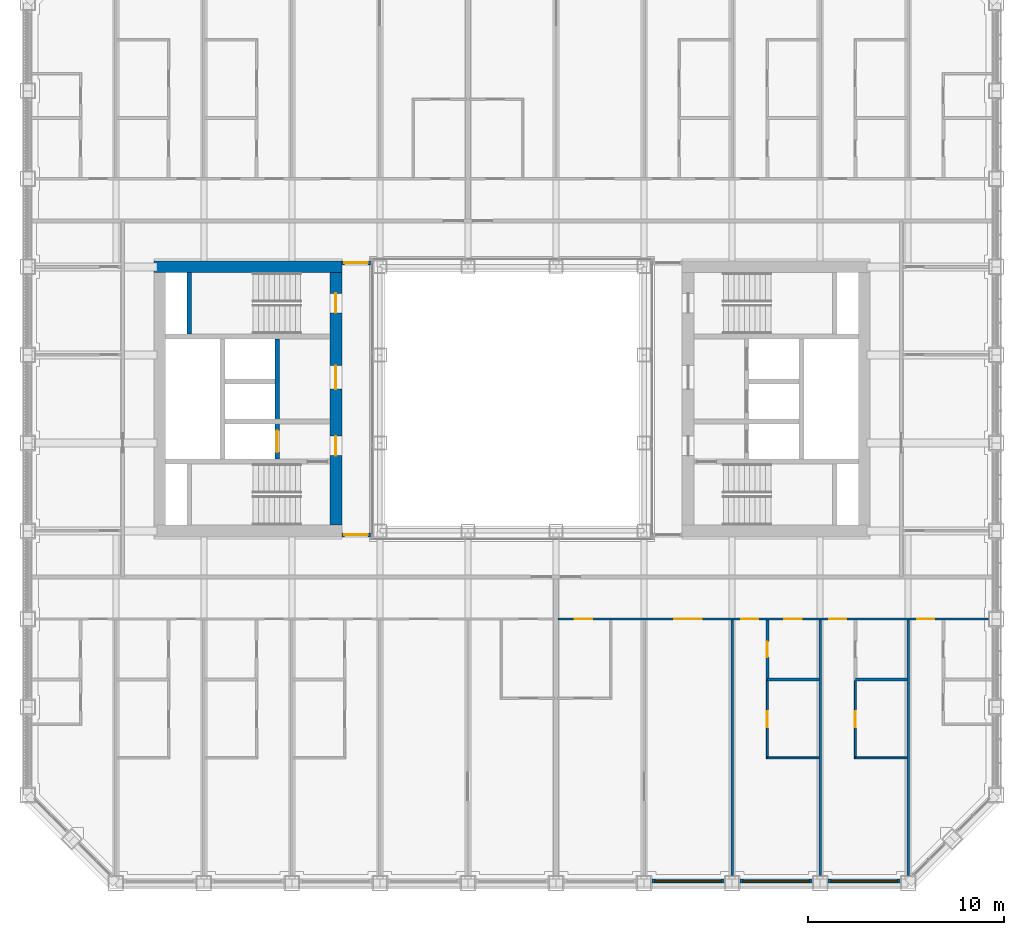
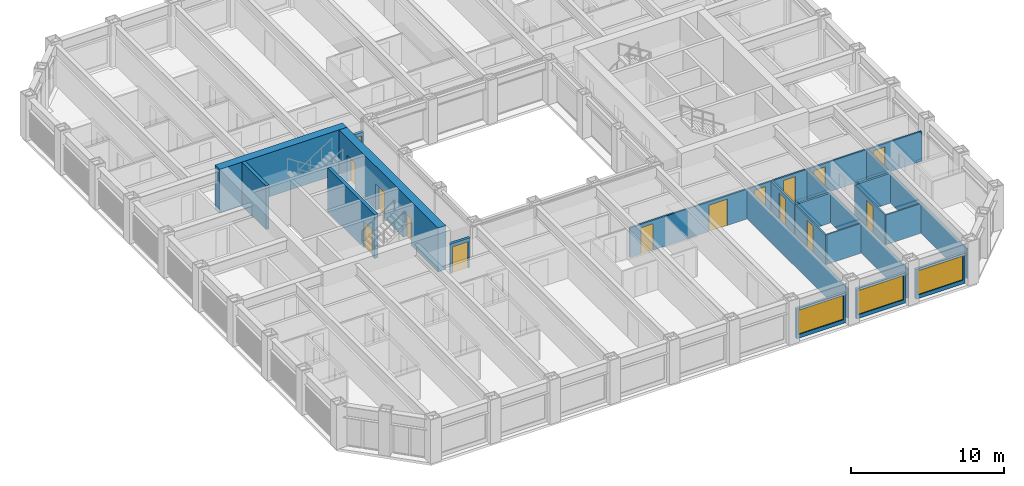
# One storey, part 11 of 21: 20 walls, 15 doors, 3 windows, 18 openings.
"""IFC4 building model written with IfcOpenShell, lengths in metres."""

import ifcopenshell
import ifcopenshell.guid

model = None  # the IFC model being written
_history = None  # IfcOwnerHistory: only IFC2X3 demands one
_inside = {}  # id of a spatial element -> (the spatial element, [elements in it])
_under = {}  # id of a project, library or spatial element -> (it, [spatial elements below it])
_declared = {}  # id of a project -> (the project, [libraries it declares])
_typed = {}  # id of a type object -> (the type object, [elements of that type])
_made_of = {}  # id of a material, layer set ... -> (it, [elements and type objects made of it])


def new_model(schema):
    """Start an empty IFC model of exactly this schema.

    Asked for "IFC4X3", IfcOpenShell would pick the latest addendum, in which some entities
    have other attributes; the version numbers below select the first issue.
    IFC2X3 requires an IfcOwnerHistory on every rooted entity: one is made here for all.
    """
    global model, _history
    if schema == "IFC4X3":
        model = ifcopenshell.file(schema_version=(4, 3, 0, 0))
    else:
        model = ifcopenshell.file(schema=schema)
    _inside.clear()
    _under.clear()
    _declared.clear()
    _typed.clear()
    _made_of.clear()
    _history = None
    if model.schema == "IFC2X3":
        org = make("IfcOrganization", Name="unknown")
        user = make(
            "IfcPersonAndOrganization",
            ThePerson=make("IfcPerson", FamilyName="unknown"),
            TheOrganization=org,
        )
        app = make(
            "IfcApplication",
            ApplicationDeveloper=org,
            Version="unknown",
            ApplicationFullName="unknown",
            ApplicationIdentifier="unknown",
        )
        _history = make(
            "IfcOwnerHistory",
            OwningUser=user,
            OwningApplication=app,
            ChangeAction="ADDED",
            CreationDate=0,
        )
    return model


def make(cls, **values):
    """One entity of the class cls with the attributes given. An attribute that is None is left unset."""
    return model.create_entity(
        cls, **{name: value for name, value in values.items() if value is not None}
    )


def rooted(cls, **values):
    """An entity with a GlobalId (a new one), such as an element, a storey or a relation."""
    return make(cls, GlobalId=ifcopenshell.guid.new(), OwnerHistory=_history, **values)


def si_unit(unit_type, name, prefix=None):
    """IfcSIUnit, for example si_unit("LENGTHUNIT", "METRE", prefix="MILLI")."""
    return make("IfcSIUnit", UnitType=unit_type, Prefix=prefix, Name=name)


def assignment(units):
    """IfcUnitAssignment: the units of a project."""
    return None if units is None else make("IfcUnitAssignment", Units=units)


def point(xyz):
    """IfcCartesianPoint."""
    return None if xyz is None else make("IfcCartesianPoint", Coordinates=xyz)


def direction(xyz):
    """IfcDirection."""
    return None if xyz is None else make("IfcDirection", DirectionRatios=xyz)


def frame(location, z_axis=None, x_axis=None):
    """IfcAxis2Placement3D, a coordinate frame: its origin and axes. An axis left out is left unset."""
    return make(
        "IfcAxis2Placement3D",
        Location=point(location),
        Axis=direction(z_axis),
        RefDirection=direction(x_axis),
    )


def frame_2d(location, x_axis=None):
    """IfcAxis2Placement2D, a coordinate frame in the plane: its origin and x axis."""
    return make(
        "IfcAxis2Placement2D", Location=point(location), RefDirection=direction(x_axis)
    )


def origin():
    """The frame at (0, 0, 0) with its axes left unset."""
    return frame((0.0, 0.0, 0.0))


def place(relative_to, where):
    """IfcLocalPlacement: puts the frame where relative to a parent placement (None: the world)."""
    return make(
        "IfcLocalPlacement", PlacementRelTo=relative_to, RelativePlacement=where
    )


def context(
    kind, dimensions, precision=None, world=None, true_north=None, identifier=None
):
    """IfcGeometricRepresentationContext, for example the 3D "Model" context."""
    return make(
        "IfcGeometricRepresentationContext",
        ContextIdentifier=identifier,
        ContextType=kind,
        CoordinateSpaceDimension=dimensions,
        Precision=precision,
        WorldCoordinateSystem=world,
        TrueNorth=true_north,
    )


def subcontext(parent, identifier, kind, view, scale=None):
    """IfcGeometricRepresentationSubContext, for example "Body" below "Model"."""
    return make(
        "IfcGeometricRepresentationSubContext",
        ContextIdentifier=identifier,
        ContextType=kind,
        ParentContext=parent,
        TargetScale=scale,
        TargetView=view,
    )


def project(units=None, contexts=None):
    """IfcProject with its units and contexts."""
    return rooted(
        "IfcProject",
        Name="project",
        RepresentationContexts=contexts,
        UnitsInContext=assignment(units),
    )


def spatial(cls, under=None, at=None, **own):
    """A site, building, storey or space (cls), placed at a placement, below another one or the project."""
    s = rooted(cls, ObjectPlacement=at, **own)
    if under is not None:
        _under.setdefault(under.id(), (under, []))[1].append(s)
    return s


def profile(cls, at=None, kind="AREA", **sizes):
    """A parametric profile (cls). Its sizes go by their IFC names, for example OverallWidth=200.0."""
    return make(cls, ProfileType=kind, Position=at, **sizes)


def rectangle(**sizes):
    """IfcRectangleProfileDef."""
    return profile("IfcRectangleProfileDef", **sizes)


def extrude(swept, where, along, depth):
    """IfcExtrudedAreaSolid: the profile swept, set in the frame where, extruded along a direction by depth."""
    return make(
        "IfcExtrudedAreaSolid",
        SweptArea=swept,
        Position=where,
        ExtrudedDirection=direction(along),
        Depth=depth,
    )


def shape(context_of_items, identifier, shape_type, items):
    """IfcShapeRepresentation: the items that make up one representation, for example the "Body"."""
    return make(
        "IfcShapeRepresentation",
        ContextOfItems=context_of_items,
        RepresentationIdentifier=identifier,
        RepresentationType=shape_type,
        Items=items,
    )


def material(Name=None, Category=None):
    """IfcMaterial."""
    return make("IfcMaterial", Name=Name, Category=Category)


def layer(
    of_material, thickness, ventilated=None, Name=None, Category=None, Priority=None
):
    """IfcMaterialLayer: one layer of a wall or slab, of a material (None: an air gap)."""
    return make(
        "IfcMaterialLayer",
        Material=of_material,
        LayerThickness=thickness,
        IsVentilated=ventilated,
        Name=Name,
        Category=Category,
        Priority=Priority,
    )


def layer_set(layers, Name=None):
    """IfcMaterialLayerSet."""
    return make("IfcMaterialLayerSet", MaterialLayers=layers, LayerSetName=Name)


def made_of(thing, what):
    """Note that an element or type object is made of a material, layer set ...; save() writes the relation."""
    if what is not None:
        _made_of.setdefault(what.id(), (what, []))[1].append(thing)
    return thing


def type_object(cls, material=None, **own):
    """A type object (cls), such as IfcWallType, which elements share."""
    return made_of(rooted(cls, **own), material)


def element(
    cls,
    number,
    at=None,
    inside=None,
    cuts=None,
    type_object=None,
    material=None,
    context=None,
    identifier="Body",
    shape_type=None,
    held_by="IfcProductDefinitionShape",
    body=None,
    shapes=None,
    **own,
):
    """One element of the class cls, such as IfcWall. Its Tag is "e" and its number.

    at: its placement. inside: the storey or other place that contains it. cuts: it is an
    opening in that element (IfcRelVoidsElement). A single representation is given by context,
    identifier, shape_type and body (its items); several are given by shapes. held_by: the class
    of the entity that holds the representations. save() writes the other relations.
    """
    e = rooted(cls, Tag="e%d" % number, ObjectPlacement=at, **own)
    if body is not None:
        shapes = [shape(context, identifier, shape_type, body)]
    if shapes is not None:
        e.Representation = make(held_by, Representations=shapes)
    if inside is not None:
        _inside.setdefault(inside.id(), (inside, []))[1].append(e)
    if cuts is not None:
        rooted(
            "IfcRelVoidsElement", RelatingBuildingElement=cuts, RelatedOpeningElement=e
        )
    if type_object is not None:
        _typed.setdefault(type_object.id(), (type_object, []))[1].append(e)
    return made_of(e, material)


def fill(opening, filler):
    """IfcRelFillsElement: the door or window that sits in an opening."""
    return rooted(
        "IfcRelFillsElement",
        RelatingOpeningElement=opening,
        RelatedBuildingElement=filler,
    )


def aggregate(whole, parts):
    """IfcRelAggregates: a whole, such as a stair, and the parts it consists of."""
    return rooted("IfcRelAggregates", RelatingObject=whole, RelatedObjects=parts)


def save(model, path):
    """Write the relations noted so far, then the file.

    IfcRelAggregates (storeys below a building ...), IfcRelContainedInSpatialStructure (elements
    in a storey), IfcRelDefinesByType, IfcRelAssociatesMaterial and IfcRelDeclares: one each for
    every whole, place, type object, material and project.
    """
    for whole, parts in _under.values():
        aggregate(whole, parts)
    for where, things in _inside.values():
        rooted(
            "IfcRelContainedInSpatialStructure",
            RelatedElements=things,
            RelatingStructure=where,
        )
    for kind, things in _typed.values():
        rooted("IfcRelDefinesByType", RelatedObjects=things, RelatingType=kind)
    for what, things in _made_of.values():
        rooted("IfcRelAssociatesMaterial", RelatedObjects=things, RelatingMaterial=what)
    for by, libraries in _declared.values():
        rooted("IfcRelDeclares", RelatingContext=by, RelatedDefinitions=libraries)
    model.write(path)


model = new_model("IFC4")

# Units and contexts
model_context = context("Model", 3, precision=1e-05, world=origin(), true_north=direction((0.0, 1.0)))
body_context = subcontext(model_context, "Body", "Model", "MODEL_VIEW")
ifc_project = project(units=[si_unit("LENGTHUNIT", "METRE"), si_unit("AREAUNIT", "SQUARE_METRE"), si_unit("VOLUMEUNIT", "CUBIC_METRE"), si_unit("PLANEANGLEUNIT", "RADIAN"), si_unit("MASSUNIT", "GRAM", prefix="KILO")], contexts=[model_context])

# Site, building, storey
site_placement = place(None, origin())
site = spatial("IfcSite", under=ifc_project, at=site_placement, CompositionType="ELEMENT")
building_placement = place(site_placement, origin())
building = spatial("IfcBuilding", under=site, at=building_placement, Name="Msasa Ring Tower", CompositionType="ELEMENT")
storey_placement = place(building_placement, frame((0.0, 0.0, 79.0)))
storey = spatial("IfcBuildingStorey", under=building, at=storey_placement, Name="L20", CompositionType="ELEMENT", Elevation=79.0)

# Wall
ifc_material_1 = material(Name="Concrete C60/75", Category="concrete")
ifc_layer_1 = layer(ifc_material_1, 0.60009765625)
ifc_layer_set_1 = layer_set([ifc_layer_1], Name="CW1 CORE WALL 600")
wall_type_1 = type_object("IfcWallType", Name="CW1 CORE WALL 600", PredefinedType="SHEAR", material=ifc_layer_set_1)
wall_1_placement = place(storey_placement, frame((-8.699951171875, 6.75, 0.0), z_axis=(0.0, 0.0, 1.0), x_axis=(-1.0, 0.0, 0.0)))
element("IfcWall", 1, at=wall_1_placement, inside=storey, type_object=wall_type_1, Name="W core wall N L20", PredefinedType="SHEAR", context=body_context, shape_type="SweptSolid", body=[
    extrude(rectangle(XDim=9.60009765625, YDim=0.60009765625, at=frame_2d((4.800048828125, 0.0))), origin(), (0.0, 0.0, 1.0), 3.5),
])

# Wall, openings, doors
wall_2_placement = place(storey_placement, frame((-9.0, -6.449951171875, 0.0), z_axis=(0.0, 0.0, 1.0), x_axis=(0.0, 1.0, 0.0)))
wall_2 = element("IfcWall", 2, at=wall_2_placement, inside=storey, type_object=wall_type_1, Name="W core wall W L20", PredefinedType="SHEAR", context=body_context, shape_type="SweptSolid", body=[
    extrude(rectangle(XDim=12.89990234375, YDim=0.60009765625, at=frame_2d((6.449951171875, 0.0))), origin(), (0.0, 0.0, 1.0), 3.5),
])
opening_1_placement = place(wall_2_placement, frame((3.550048828125, 0.0, 0.0)))
opening_1 = element("IfcOpeningElement", 3, at=opening_1_placement, cuts=wall_2, Name="Opening RF-046", PredefinedType="OPENING", context=body_context, shape_type="SweptSolid", body=[
    extrude(rectangle(XDim=1.0, YDim=2.10009765625, at=frame_2d((0.5, 1.050048828125))), frame((0.0, 0.31005859375, 0.0), z_axis=(0.0, -1.0, 0.0), x_axis=(1.0, 0.0, 0.0)), (0.0, 0.0, 1.0), 0.6201171875),
])
opening_2_placement = place(wall_2_placement, frame((6.949951171875, 0.0, 0.0)))
opening_2 = element("IfcOpeningElement", 4, at=opening_2_placement, cuts=wall_2, Name="Opening RF-042", PredefinedType="OPENING", context=body_context, shape_type="SweptSolid", body=[
    extrude(rectangle(XDim=1.199951171875, YDim=2.10009765625, at=frame_2d((0.60009765625, 1.050048828125))), frame((0.0, 0.31005859375, 0.0), z_axis=(0.0, -1.0, 0.0), x_axis=(1.0, 0.0, 0.0)), (0.0, 0.0, 1.0), 0.6201171875),
])
opening_3_placement = place(wall_2_placement, frame((10.85009765625, 0.0, 0.0)))
opening_3 = element("IfcOpeningElement", 5, at=opening_3_placement, cuts=wall_2, Name="Opening RF-038", PredefinedType="OPENING", context=body_context, shape_type="SweptSolid", body=[
    extrude(rectangle(XDim=1.0, YDim=2.10009765625, at=frame_2d((0.5, 1.050048828125))), frame((0.0, 0.31005859375, 0.0), z_axis=(0.0, -1.0, 0.0), x_axis=(1.0, 0.0, 0.0)), (0.0, 0.0, 1.0), 0.6201171875),
])
ifc_material_2 = material(Name="Timber door leaf in a steel frame", Category="steel")
door_type_1 = type_object("IfcDoorType", Name="D26 WIDE SERVICE ROOM DOOR 1200x2100", OperationType="SINGLE_SWING_LEFT", PredefinedType="DOOR", material=ifc_material_2)
door_1_placement = place(opening_2_placement, origin())
door_1 = element("IfcDoor", 6, at=door_1_placement, inside=storey, type_object=door_type_1, Name="Door L20-WCR", OperationType="SINGLE_SWING_RIGHT", OverallHeight=2.10009765625, OverallWidth=1.199951171875, PredefinedType="DOOR", context=body_context, shape_type="SweptSolid", body=[
    extrude(rectangle(XDim=1.199951171875, YDim=2.10009765625, at=frame_2d((0.60009765625, 1.050048828125))), frame((0.0, 0.02490234375, 0.0), z_axis=(0.0, -1.0, 0.0), x_axis=(1.0, 0.0, 0.0)), (0.0, 0.0, 1.0), 0.050048828125),
])
fill(opening_2, door_1)
ifc_material_3 = material(Name="Timber door leaf in a steel frame", Category="steel")
door_type_2 = type_object("IfcDoorType", Name="D4 LOBBY DOOR 1000x2100", OperationType="SINGLE_SWING_LEFT", PredefinedType="DOOR", material=ifc_material_3)
door_2_placement = place(opening_1_placement, origin())
door_2 = element("IfcDoor", 7, at=door_2_placement, inside=storey, type_object=door_type_2, Name="Door L20-WFFL", OperationType="SINGLE_SWING_LEFT", OverallHeight=2.10009765625, OverallWidth=1.0, PredefinedType="DOOR", context=body_context, shape_type="SweptSolid", body=[
    extrude(rectangle(XDim=1.0, YDim=2.10009765625, at=frame_2d((0.5, 1.050048828125))), frame((0.0, 0.02490234375, 0.0), z_axis=(0.0, -1.0, 0.0), x_axis=(1.0, 0.0, 0.0)), (0.0, 0.0, 1.0), 0.050048828125),
])
fill(opening_1, door_2)
ifc_material_4 = material(Name="Timber door leaf in a steel frame", Category="steel")
door_type_3 = type_object("IfcDoorType", Name="D6 STAIR DOOR 1000x2100", OperationType="SINGLE_SWING_LEFT", PredefinedType="DOOR", material=ifc_material_4)
door_3_placement = place(opening_3_placement, origin())
door_3 = element("IfcDoor", 8, at=door_3_placement, inside=storey, type_object=door_type_3, Name="Door L20-WSTB", OperationType="SINGLE_SWING_RIGHT", OverallHeight=2.10009765625, OverallWidth=1.0, PredefinedType="DOOR", context=body_context, shape_type="SweptSolid", body=[
    extrude(rectangle(XDim=1.0, YDim=2.10009765625, at=frame_2d((0.5, 1.050048828125))), frame((0.0, 0.02490234375, 0.0), z_axis=(0.0, -1.0, 0.0), x_axis=(1.0, 0.0, 0.0)), (0.0, 0.0, 1.0), 0.050048828125),
])
fill(opening_3, door_3)

# Wall
ifc_material_5 = material(Name="Concrete C60/75", Category="concrete")
ifc_layer_2 = layer(ifc_material_5, 0.25)
ifc_layer_set_2 = layer_set([ifc_layer_2], Name="CW4 CORE INNER WALL 250")
wall_type_2 = type_object("IfcWallType", Name="CW4 CORE INNER WALL 250", PredefinedType="SHEAR", material=ifc_layer_set_2)
wall_3_placement = place(storey_placement, frame((-16.5, 3.324951171875, 0.0), z_axis=(0.0, 0.0, 1.0), x_axis=(0.0, 1.0, 0.0)))
element("IfcWall", 9, at=wall_3_placement, inside=storey, type_object=wall_type_2, Name="W core wall RISERB L20", PredefinedType="SHEAR", context=body_context, shape_type="SweptSolid", body=[
    extrude(rectangle(XDim=3.125, YDim=0.25, at=frame_2d((1.5625, 0.0))), origin(), (0.0, 0.0, 1.0), 3.5),
])

# Wall, opening, door
wall_4_placement = place(storey_placement, frame((-12.0, -3.074951171875, 0.0), z_axis=(0.0, 0.0, 1.0), x_axis=(0.0, 1.0, 0.0)))
wall_4 = element("IfcWall", 10, at=wall_4_placement, inside=storey, type_object=wall_type_2, Name="W core wall LOBBY L20", PredefinedType="SHEAR", context=body_context, shape_type="SweptSolid", body=[
    extrude(rectangle(XDim=6.14990234375, YDim=0.25, at=frame_2d((3.074951171875, 0.0))), origin(), (0.0, 0.0, 1.0), 3.5),
])
opening_4_placement = place(wall_4_placement, frame((0.35009765625, 0.0, 0.0)))
opening_4 = element("IfcOpeningElement", 11, at=opening_4_placement, cuts=wall_4, Name="Opening LD1", PredefinedType="OPENING", context=body_context, shape_type="SweptSolid", body=[
    extrude(rectangle(XDim=1.10009765625, YDim=2.10009765625, at=frame_2d((0.550048828125, 1.050048828125))), frame((0.0, 0.135009765625, 0.0), z_axis=(0.0, -1.0, 0.0), x_axis=(1.0, 0.0, 0.0)), (0.0, 0.0, 1.0), 0.27001953125),
])
ifc_material_6 = material(Name="Stainless steel lift landing door", Category="steel")
door_type_4 = type_object("IfcDoorType", Name="LD1 LIFT LANDING DOOR 1100x2100", OperationType="DOUBLE_DOOR_SLIDING", PredefinedType="DOOR", material=ifc_material_6)
door_4_placement = place(opening_4_placement, origin())
door_4 = element("IfcDoor", 12, at=door_4_placement, inside=storey, type_object=door_type_4, Name="Lift landing door FL-W L20", OperationType="DOUBLE_DOOR_SLIDING", OverallHeight=2.10009765625, OverallWidth=1.10009765625, PredefinedType="DOOR", context=body_context, shape_type="SweptSolid", body=[
    extrude(rectangle(XDim=1.10009765625, YDim=2.10009765625, at=frame_2d((0.550048828125, 1.050048828125))), frame((0.0, 0.02490234375, 0.0), z_axis=(0.0, -1.0, 0.0), x_axis=(1.0, 0.0, 0.0)), (0.0, 0.0, 1.0), 0.050048828125),
])
fill(opening_4, door_4)

# Wall, opening, window
ifc_material_7 = material(Name="Terracotta rainscreen on blockwork", Category="masonry")
ifc_layer_3 = layer(ifc_material_7, 0.199951171875)
ifc_layer_set_3 = layer_set([ifc_layer_3], Name="FW1 TERRACOTTA-LINED INFILL BAY WALL 200")
wall_type_3 = type_object("IfcWallType", Name="FW1 TERRACOTTA-LINED INFILL BAY WALL 200", PredefinedType="SOLIDWALL", material=ifc_layer_set_3)
wall_5_placement = place(storey_placement, frame((7.155029296875, -24.64990234375, 0.0), z_axis=(0.0, 0.0, 1.0), x_axis=(1.0, 0.0, 0.0)))
wall_5 = element("IfcWall", 13, at=wall_5_placement, inside=storey, type_object=wall_type_3, Name="Infill bay wall S L20 06", PredefinedType="SOLIDWALL", context=body_context, shape_type="SweptSolid", body=[
    extrude(rectangle(XDim=3.68994140625, YDim=0.199951171875, at=frame_2d((1.844970703125, 0.0))), origin(), (0.0, 0.0, 1.0), 2.37890625),
])
opening_5_placement = place(wall_5_placement, frame((0.14501953125, 0.0, 0.300048828125)))
opening_5 = element("IfcOpeningElement", 14, at=opening_5_placement, cuts=wall_5, Name="Opening WN1", PredefinedType="OPENING", context=body_context, shape_type="SweptSolid", body=[
    extrude(rectangle(XDim=3.39990234375, YDim=1.928955078125, at=frame_2d((1.699951171875, 0.96435546875))), frame((0.0, 0.10986328125, 0.0), z_axis=(0.0, -1.0, 0.0), x_axis=(1.0, 0.0, 0.0)), (0.0, 0.0, 1.0), 0.219970703125),
])
ifc_material_8 = material(Name="Aluminium frame with clear glass", Category="aluminium")
window_type = type_object("IfcWindowType", Name="WN1 RESIDENCE WINDOW 3400x1929", PartitioningType="SINGLE_PANEL", PredefinedType="WINDOW", material=ifc_material_8)
window_1_placement = place(opening_5_placement, origin())
window_1 = element("IfcWindow", 15, at=window_1_placement, inside=storey, type_object=window_type, Name="Window S L20 06", OverallHeight=1.928955078125, OverallWidth=3.39990234375, PartitioningType="SINGLE_PANEL", PredefinedType="WINDOW", context=body_context, shape_type="SweptSolid", body=[
    extrude(rectangle(XDim=3.39990234375, YDim=1.928955078125, at=frame_2d((1.699951171875, 0.96435546875))), frame((0.0, 0.030029296875, 0.0), z_axis=(0.0, -1.0, 0.0), x_axis=(1.0, 0.0, 0.0)), (0.0, 0.0, 1.0), 0.06005859375),
])
fill(opening_5, window_1)

wall_6_placement = place(storey_placement, frame((11.655029296875, -24.64990234375, 0.0), z_axis=(0.0, 0.0, 1.0), x_axis=(1.0, 0.0, 0.0)))
wall_6 = element("IfcWall", 16, at=wall_6_placement, inside=storey, type_object=wall_type_3, Name="Infill bay wall S L20 07", PredefinedType="SOLIDWALL", context=body_context, shape_type="SweptSolid", body=[
    extrude(rectangle(XDim=3.68994140625, YDim=0.199951171875, at=frame_2d((1.844970703125, 0.0))), origin(), (0.0, 0.0, 1.0), 2.37890625),
])
opening_6_placement = place(wall_6_placement, frame((0.14501953125, 0.0, 0.300048828125)))
opening_6 = element("IfcOpeningElement", 17, at=opening_6_placement, cuts=wall_6, Name="Opening WN1", PredefinedType="OPENING", context=body_context, shape_type="SweptSolid", body=[
    extrude(rectangle(XDim=3.39990234375, YDim=1.928955078125, at=frame_2d((1.699951171875, 0.96435546875))), frame((0.0, 0.10986328125, 0.0), z_axis=(0.0, -1.0, 0.0), x_axis=(1.0, 0.0, 0.0)), (0.0, 0.0, 1.0), 0.219970703125),
])
window_2_placement = place(opening_6_placement, origin())
window_2 = element("IfcWindow", 18, at=window_2_placement, inside=storey, type_object=window_type, Name="Window S L20 07", OverallHeight=1.928955078125, OverallWidth=3.39990234375, PartitioningType="SINGLE_PANEL", PredefinedType="WINDOW", context=body_context, shape_type="SweptSolid", body=[
    extrude(rectangle(XDim=3.39990234375, YDim=1.928955078125, at=frame_2d((1.699951171875, 0.96435546875))), frame((0.0, 0.030029296875, 0.0), z_axis=(0.0, -1.0, 0.0), x_axis=(1.0, 0.0, 0.0)), (0.0, 0.0, 1.0), 0.06005859375),
])
fill(opening_6, window_2)

wall_7_placement = place(storey_placement, frame((16.155029296875, -24.64990234375, 0.0), z_axis=(0.0, 0.0, 1.0), x_axis=(1.0, 0.0, 0.0)))
wall_7 = element("IfcWall", 19, at=wall_7_placement, inside=storey, type_object=wall_type_3, Name="Infill bay wall S L20 08", PredefinedType="SOLIDWALL", context=body_context, shape_type="SweptSolid", body=[
    extrude(rectangle(XDim=3.68994140625, YDim=0.199951171875, at=frame_2d((1.844970703125, 0.0))), origin(), (0.0, 0.0, 1.0), 2.37890625),
])
opening_7_placement = place(wall_7_placement, frame((0.14501953125, 0.0, 0.300048828125)))
opening_7 = element("IfcOpeningElement", 20, at=opening_7_placement, cuts=wall_7, Name="Opening WN1", PredefinedType="OPENING", context=body_context, shape_type="SweptSolid", body=[
    extrude(rectangle(XDim=3.39990234375, YDim=1.928955078125, at=frame_2d((1.699951171875, 0.96435546875))), frame((0.0, 0.10986328125, 0.0), z_axis=(0.0, -1.0, 0.0), x_axis=(1.0, 0.0, 0.0)), (0.0, 0.0, 1.0), 0.219970703125),
])
window_3_placement = place(opening_7_placement, origin())
window_3 = element("IfcWindow", 21, at=window_3_placement, inside=storey, type_object=window_type, Name="Window S L20 08", OverallHeight=1.928955078125, OverallWidth=3.39990234375, PartitioningType="SINGLE_PANEL", PredefinedType="WINDOW", context=body_context, shape_type="SweptSolid", body=[
    extrude(rectangle(XDim=3.39990234375, YDim=1.928955078125, at=frame_2d((1.699951171875, 0.96435546875))), frame((0.0, 0.030029296875, 0.0), z_axis=(0.0, -1.0, 0.0), x_axis=(1.0, 0.0, 0.0)), (0.0, 0.0, 1.0), 0.06005859375),
])
fill(opening_7, window_3)

# Wall, opening, door
ifc_material_9 = material(Name="Concrete blockwork", Category="masonry")
ifc_layer_4 = layer(ifc_material_9, 0.199951171875)
ifc_layer_set_4 = layer_set([ifc_layer_4], Name="PT1 CORRIDOR WALL 200")
wall_type_4 = type_object("IfcWallType", Name="PT1 CORRIDOR WALL 200", PredefinedType="PARTITIONING", material=ifc_layer_set_4)
wall_8_placement = place(storey_placement, frame((-8.699951171875, 6.949951171875, 0.0), z_axis=(0.0, 0.0, 1.0), x_axis=(1.0, 0.0, 0.0)))
wall_8 = element("IfcWall", 22, at=wall_8_placement, inside=storey, type_object=wall_type_4, Name="Corridor wall L20-SDWN", PredefinedType="PARTITIONING", context=body_context, shape_type="SweptSolid", body=[
    extrude(rectangle(XDim=1.469970703125, YDim=0.199951171875, at=frame_2d((0.73486328125, 0.0))), origin(), (0.0, 0.0, 1.0), 2.373291015625),
])
opening_8_placement = place(wall_8_placement, frame((0.135009765625, 0.0, 0.0)))
opening_8 = element("IfcOpeningElement", 23, at=opening_8_placement, cuts=wall_8, Name="Opening RF-034", PredefinedType="OPENING", context=body_context, shape_type="SweptSolid", body=[
    extrude(rectangle(XDim=1.199951171875, YDim=2.10009765625, at=frame_2d((0.60009765625, 1.050048828125))), frame((0.0, 0.10986328125, 0.0), z_axis=(0.0, -1.0, 0.0), x_axis=(1.0, 0.0, 0.0)), (0.0, 0.0, 1.0), 0.219970703125),
])
ifc_material_10 = material(Name="Timber door leaf in a steel frame", Category="steel")
door_type_5 = type_object("IfcDoorType", Name="D25 CORRIDOR PAIR OF SMOKE DOORS 1200x2100", OperationType="DOUBLE_DOOR_DOUBLE_SWING", PredefinedType="DOOR", material=ifc_material_10)
door_5_placement = place(opening_8_placement, origin())
door_5 = element("IfcDoor", 24, at=door_5_placement, inside=storey, type_object=door_type_5, Name="Door L20-SDWN", OperationType="DOUBLE_DOOR_DOUBLE_SWING", OverallHeight=2.10009765625, OverallWidth=1.199951171875, PredefinedType="DOOR", context=body_context, shape_type="SweptSolid", body=[
    extrude(rectangle(XDim=1.199951171875, YDim=2.10009765625, at=frame_2d((0.60009765625, 1.050048828125))), frame((0.0, 0.02490234375, 0.0), z_axis=(0.0, -1.0, 0.0), x_axis=(1.0, 0.0, 0.0)), (0.0, 0.0, 1.0), 0.050048828125),
])
fill(opening_8, door_5)

wall_9_placement = place(storey_placement, frame((-8.699951171875, -6.949951171875, 0.0), z_axis=(0.0, 0.0, 1.0), x_axis=(1.0, 0.0, 0.0)))
wall_9 = element("IfcWall", 25, at=wall_9_placement, inside=storey, type_object=wall_type_4, Name="Corridor wall L20-SDWS", PredefinedType="PARTITIONING", context=body_context, shape_type="SweptSolid", body=[
    extrude(rectangle(XDim=1.469970703125, YDim=0.199951171875, at=frame_2d((0.73486328125, 0.0))), origin(), (0.0, 0.0, 1.0), 2.373291015625),
])
opening_9_placement = place(wall_9_placement, frame((0.135009765625, 0.0, 0.0)))
opening_9 = element("IfcOpeningElement", 26, at=opening_9_placement, cuts=wall_9, Name="Opening RF-052", PredefinedType="OPENING", context=body_context, shape_type="SweptSolid", body=[
    extrude(rectangle(XDim=1.199951171875, YDim=2.10009765625, at=frame_2d((0.60009765625, 1.050048828125))), frame((0.0, 0.10986328125, 0.0), z_axis=(0.0, -1.0, 0.0), x_axis=(1.0, 0.0, 0.0)), (0.0, 0.0, 1.0), 0.219970703125),
])
door_6_placement = place(opening_9_placement, origin())
door_6 = element("IfcDoor", 27, at=door_6_placement, inside=storey, type_object=door_type_5, Name="Door L20-SDWS", OperationType="DOUBLE_DOOR_DOUBLE_SWING", OverallHeight=2.10009765625, OverallWidth=1.199951171875, PredefinedType="DOOR", context=body_context, shape_type="SweptSolid", body=[
    extrude(rectangle(XDim=1.199951171875, YDim=2.10009765625, at=frame_2d((0.60009765625, 1.050048828125))), frame((0.0, 0.02490234375, 0.0), z_axis=(0.0, -1.0, 0.0), x_axis=(1.0, 0.0, 0.0)), (0.0, 0.0, 1.0), 0.050048828125),
])
fill(opening_9, door_6)

ifc_material_11 = material(Name="Gypsum board on steel studs", Category="steel")
ifc_layer_5 = layer(ifc_material_11, 0.10009765625)
ifc_layer_set_5 = layer_set([ifc_layer_5], Name="PT2 STUD PARTITION 100")
wall_type_5 = type_object("IfcWallType", Name="PT2 STUD PARTITION 100", PredefinedType="PARTITIONING", material=ifc_layer_set_5)
wall_10_placement = place(storey_placement, frame((13.050048828125, -18.403076171875, 0.0), z_axis=(0.0, 0.0, 1.0), x_axis=(0.0, 1.0, 0.0)))
wall_10 = element("IfcWall", 28, at=wall_10_placement, inside=storey, type_object=wall_type_5, Name="Partition L20-VSEWX1", PredefinedType="PARTITIONING", context=body_context, shape_type="SweptSolid", body=[
    extrude(rectangle(XDim=4.003173828125, YDim=0.10009765625, at=frame_2d((2.00146484375, 0.0))), origin(), (0.0, 0.0, 1.0), 2.373291015625),
])
opening_10_placement = place(wall_10_placement, frame((1.626708984375, 0.0, 0.0)))
opening_10 = element("IfcOpeningElement", 29, at=opening_10_placement, cuts=wall_10, Name="Opening RF-083", PredefinedType="OPENING", context=body_context, shape_type="SweptSolid", body=[
    extrude(rectangle(XDim=0.800048828125, YDim=2.10009765625, at=frame_2d((0.39990234375, 1.050048828125))), frame((0.0, 0.06005859375, 0.0), z_axis=(0.0, -1.0, 0.0), x_axis=(1.0, 0.0, 0.0)), (0.0, 0.0, 1.0), 0.1201171875),
])
ifc_material_12 = material(Name="Timber door leaf in a steel frame", Category="steel")
door_type_6 = type_object("IfcDoorType", Name="D60 DRESSING ROOM DOOR 800x2100", OperationType="SINGLE_SWING_LEFT", PredefinedType="DOOR", material=ifc_material_12)
door_7_placement = place(opening_10_placement, origin())
door_7 = element("IfcDoor", 30, at=door_7_placement, inside=storey, type_object=door_type_6, Name="Door L20-VSEW1", OperationType="SINGLE_SWING_LEFT", OverallHeight=2.10009765625, OverallWidth=0.800048828125, PredefinedType="DOOR", context=body_context, shape_type="SweptSolid", body=[
    extrude(rectangle(XDim=0.800048828125, YDim=2.10009765625, at=frame_2d((0.39990234375, 1.050048828125))), frame((0.0, 0.02490234375, 0.0), z_axis=(0.0, -1.0, 0.0), x_axis=(1.0, 0.0, 0.0)), (0.0, 0.0, 1.0), 0.050048828125),
])
fill(opening_10, door_7)

# Wall
wall_11_placement = place(storey_placement, frame((13.050048828125, -18.35302734375, 0.0), z_axis=(0.0, 0.0, 1.0), x_axis=(1.0, 0.0, 0.0)))
element("IfcWall", 31, at=wall_11_placement, inside=storey, type_object=wall_type_5, Name="Partition L20-VSEWY1", PredefinedType="PARTITIONING", context=body_context, shape_type="SweptSolid", body=[
    extrude(rectangle(XDim=2.639892578125, YDim=0.10009765625, at=frame_2d((1.31982421875, 0.0))), origin(), (0.0, 0.0, 1.0), 2.373291015625),
])

# Wall, opening, door
wall_12_placement = place(storey_placement, frame((17.550048828125, -18.400390625, 0.0), z_axis=(0.0, 0.0, 1.0), x_axis=(0.0, 1.0, 0.0)))
wall_12 = element("IfcWall", 32, at=wall_12_placement, inside=storey, type_object=wall_type_5, Name="Partition L20-VSEWX2", PredefinedType="PARTITIONING", context=body_context, shape_type="SweptSolid", body=[
    extrude(rectangle(XDim=4.00048828125, YDim=0.10009765625, at=frame_2d((2.000244140625, 0.0))), origin(), (0.0, 0.0, 1.0), 2.373291015625),
])
opening_11_placement = place(wall_12_placement, frame((1.625244140625, 0.0, 0.0)))
opening_11 = element("IfcOpeningElement", 33, at=opening_11_placement, cuts=wall_12, Name="Opening RF-084", PredefinedType="OPENING", context=body_context, shape_type="SweptSolid", body=[
    extrude(rectangle(XDim=0.800048828125, YDim=2.10009765625, at=frame_2d((0.39990234375, 1.050048828125))), frame((0.0, 0.06005859375, 0.0), z_axis=(0.0, -1.0, 0.0), x_axis=(1.0, 0.0, 0.0)), (0.0, 0.0, 1.0), 0.1201171875),
])
door_8_placement = place(opening_11_placement, origin())
door_8 = element("IfcDoor", 34, at=door_8_placement, inside=storey, type_object=door_type_6, Name="Door L20-VSEW2", OperationType="SINGLE_SWING_LEFT", OverallHeight=2.10009765625, OverallWidth=0.800048828125, PredefinedType="DOOR", context=body_context, shape_type="SweptSolid", body=[
    extrude(rectangle(XDim=0.800048828125, YDim=2.10009765625, at=frame_2d((0.39990234375, 1.050048828125))), frame((0.0, 0.02490234375, 0.0), z_axis=(0.0, -1.0, 0.0), x_axis=(1.0, 0.0, 0.0)), (0.0, 0.0, 1.0), 0.050048828125),
])
fill(opening_11, door_8)

# Wall
wall_13_placement = place(storey_placement, frame((17.550048828125, -18.350341796875, 0.0), z_axis=(0.0, 0.0, 1.0), x_axis=(1.0, 0.0, 0.0)))
element("IfcWall", 35, at=wall_13_placement, inside=storey, type_object=wall_type_5, Name="Partition L20-VSEWY2", PredefinedType="PARTITIONING", context=body_context, shape_type="SweptSolid", body=[
    extrude(rectangle(XDim=2.639892578125, YDim=0.10009765625, at=frame_2d((1.31982421875, 0.0))), origin(), (0.0, 0.0, 1.0), 2.373291015625),
])

# Wall, opening, door
ifc_material_13 = material(Name="Moisture-resistant board on steel studs with a concealed cistern and pipe void, tiled", Category="steel")
ifc_layer_6 = layer(ifc_material_13, 0.14990234375)
ifc_layer_set_6 = layer_set([ifc_layer_6], Name="PT4 BATHROOM WET WALL 150")
wall_type_6 = type_object("IfcWallType", Name="PT4 BATHROOM WET WALL 150", PredefinedType="PARTITIONING", material=ifc_layer_set_6)
wall_14_placement = place(storey_placement, frame((13.050048828125, -14.39990234375, 0.0), z_axis=(0.0, 0.0, 1.0), x_axis=(0.0, 1.0, 0.0)))
wall_14 = element("IfcWall", 36, at=wall_14_placement, inside=storey, type_object=wall_type_6, Name="Partition L20-VSEBX1", PredefinedType="PARTITIONING", context=body_context, shape_type="SweptSolid", body=[
    extrude(rectangle(XDim=3.08740234375, YDim=0.14990234375, at=frame_2d((1.543701171875, 0.0))), origin(), (0.0, 0.0, 1.0), 2.373291015625),
])
opening_12_placement = place(wall_14_placement, frame((1.199951171875, 0.0, 0.0)))
opening_12 = element("IfcOpeningElement", 37, at=opening_12_placement, cuts=wall_14, Name="Opening RF-073", PredefinedType="OPENING", context=body_context, shape_type="SweptSolid", body=[
    extrude(rectangle(XDim=0.800048828125, YDim=2.10009765625, at=frame_2d((0.39990234375, 1.050048828125))), frame((0.0, 0.0849609375, 0.0), z_axis=(0.0, -1.0, 0.0), x_axis=(1.0, 0.0, 0.0)), (0.0, 0.0, 1.0), 0.169921875),
])
ifc_material_14 = material(Name="Timber door leaf in a steel frame", Category="steel")
door_type_7 = type_object("IfcDoorType", Name="D21 POCKET SLIDING BATHROOM DOOR 800x2100", OperationType="SINGLE_SWING_LEFT", PredefinedType="DOOR", material=ifc_material_14)
door_9_placement = place(opening_12_placement, origin())
door_9 = element("IfcDoor", 38, at=door_9_placement, inside=storey, type_object=door_type_7, Name="Door L20-VSEB1", OperationType="SINGLE_SWING_RIGHT", OverallHeight=2.10009765625, OverallWidth=0.800048828125, PredefinedType="DOOR", context=body_context, shape_type="SweptSolid", body=[
    extrude(rectangle(XDim=0.800048828125, YDim=2.10009765625, at=frame_2d((0.39990234375, 1.050048828125))), frame((0.0, 0.02490234375, 0.0), z_axis=(0.0, -1.0, 0.0), x_axis=(1.0, 0.0, 0.0)), (0.0, 0.0, 1.0), 0.050048828125),
])
fill(opening_12, door_9)

# Walls
for number, where, z_axis, x_axis, name in (
    (39, (13.050048828125, -14.35009765625, 0.0), (0.0, 0.0, 1.0), (1.0, 0.0, 0.0), "Partition L20-VSEBY1"),
    (40, (17.550048828125, -14.35009765625, 0.0), (0.0, 0.0, 1.0), (1.0, 0.0, 0.0), "Partition L20-VSEBY2"),
):
    element("IfcWall", number, at=place(storey_placement, frame(where, z_axis=z_axis, x_axis=x_axis)), inside=storey, type_object=wall_type_6, Name=name, PredefinedType="PARTITIONING", context=body_context, shape_type="SweptSolid", body=[
        extrude(rectangle(XDim=2.639892578125, YDim=0.14990234375, at=frame_2d((1.31982421875, 0.0))), origin(), (0.0, 0.0, 1.0), 2.373291015625),
    ])

# Wall, openings, doors
ifc_material_15 = material(Name="Two layers of acoustic board each face on steel studs, mineral wool", Category="steel")
ifc_layer_7 = layer(ifc_material_15, 0.125)
ifc_layer_set_7 = layer_set([ifc_layer_7], Name="PT6 ACOUSTIC DOUBLE-BOARD PARTITION 125")
wall_type_7 = type_object("IfcWallType", Name="PT6 ACOUSTIC DOUBLE-BOARD PARTITION 125", PredefinedType="PARTITIONING", material=ifc_layer_set_7)
wall_15_placement = place(storey_placement, frame((2.35009765625, -11.25, 0.0), z_axis=(0.0, 0.0, 1.0), x_axis=(1.0, 0.0, 0.0)))
wall_15 = element("IfcWall", 41, at=wall_15_placement, inside=storey, type_object=wall_type_7, Name="Partition L20-VSEHY", PredefinedType="PARTITIONING", context=body_context, shape_type="SweptSolid", body=[
    extrude(rectangle(XDim=22.0, YDim=0.125, at=frame_2d((11.0, 0.0))), origin(), (0.0, 0.0, 1.0), 2.373291015625),
])
opening_13_placement = place(wall_15_placement, frame((0.85009765625, 0.0, 0.0)))
opening_13 = element("IfcOpeningElement", 42, at=opening_13_placement, cuts=wall_15, Name="Opening RF-063", PredefinedType="OPENING", context=body_context, shape_type="SweptSolid", body=[
    extrude(rectangle(XDim=0.89990234375, YDim=2.10009765625, at=frame_2d((0.449951171875, 1.050048828125))), frame((0.0, 0.072509765625, 0.0), z_axis=(0.0, -1.0, 0.0), x_axis=(1.0, 0.0, 0.0)), (0.0, 0.0, 1.0), 0.14501953125),
])
opening_14_placement = place(wall_15_placement, frame((5.949951171875, 0.0, 0.0)))
opening_14 = element("IfcOpeningElement", 43, at=opening_14_placement, cuts=wall_15, Name="Opening RF-064", PredefinedType="OPENING", context=body_context, shape_type="SweptSolid", body=[
    extrude(rectangle(XDim=1.39990234375, YDim=2.10009765625, at=frame_2d((0.699951171875, 1.050048828125))), frame((0.0, 0.072509765625, 0.0), z_axis=(0.0, -1.0, 0.0), x_axis=(1.0, 0.0, 0.0)), (0.0, 0.0, 1.0), 0.14501953125),
])
opening_15_placement = place(wall_15_placement, frame((9.375, 0.0, 0.0)))
opening_15 = element("IfcOpeningElement", 44, at=opening_15_placement, cuts=wall_15, Name="Opening RF-065", PredefinedType="OPENING", context=body_context, shape_type="SweptSolid", body=[
    extrude(rectangle(XDim=0.85009765625, YDim=2.10009765625, at=frame_2d((0.425048828125, 1.050048828125))), frame((0.0, 0.072509765625, 0.0), z_axis=(0.0, -1.0, 0.0), x_axis=(1.0, 0.0, 0.0)), (0.0, 0.0, 1.0), 0.14501953125),
])
opening_16_placement = place(wall_15_placement, frame((11.570068359375, 0.0, 0.0)))
opening_16 = element("IfcOpeningElement", 45, at=opening_16_placement, cuts=wall_15, Name="Opening RF-066", PredefinedType="OPENING", context=body_context, shape_type="SweptSolid", body=[
    extrude(rectangle(XDim=0.89990234375, YDim=2.10009765625, at=frame_2d((0.449951171875, 1.050048828125))), frame((0.0, 0.072509765625, 0.0), z_axis=(0.0, -1.0, 0.0), x_axis=(1.0, 0.0, 0.0)), (0.0, 0.0, 1.0), 0.14501953125),
])
opening_17_placement = place(wall_15_placement, frame((13.875, 0.0, 0.0)))
opening_17 = element("IfcOpeningElement", 46, at=opening_17_placement, cuts=wall_15, Name="Opening RF-067", PredefinedType="OPENING", context=body_context, shape_type="SweptSolid", body=[
    extrude(rectangle(XDim=0.85009765625, YDim=2.10009765625, at=frame_2d((0.425048828125, 1.050048828125))), frame((0.0, 0.072509765625, 0.0), z_axis=(0.0, -1.0, 0.0), x_axis=(1.0, 0.0, 0.0)), (0.0, 0.0, 1.0), 0.14501953125),
])
opening_18_placement = place(wall_15_placement, frame((18.375, 0.0, 0.0)))
opening_18 = element("IfcOpeningElement", 47, at=opening_18_placement, cuts=wall_15, Name="Opening RF-068", PredefinedType="OPENING", context=body_context, shape_type="SweptSolid", body=[
    extrude(rectangle(XDim=0.85009765625, YDim=2.10009765625, at=frame_2d((0.425048828125, 1.050048828125))), frame((0.0, 0.072509765625, 0.0), z_axis=(0.0, -1.0, 0.0), x_axis=(1.0, 0.0, 0.0)), (0.0, 0.0, 1.0), 0.14501953125),
])
ifc_material_16 = material(Name="Timber door leaf in a steel frame", Category="steel")
door_type_8 = type_object("IfcDoorType", Name="D14 BEDROOM DOOR 850x2100", OperationType="SINGLE_SWING_LEFT", PredefinedType="DOOR", material=ifc_material_16)
door_10_placement = place(opening_15_placement, origin())
door_10 = element("IfcDoor", 48, at=door_10_placement, inside=storey, type_object=door_type_8, Name="Door L20-VSER1", OperationType="SINGLE_SWING_LEFT", OverallHeight=2.10009765625, OverallWidth=0.85009765625, PredefinedType="DOOR", context=body_context, shape_type="SweptSolid", body=[
    extrude(rectangle(XDim=0.85009765625, YDim=2.10009765625, at=frame_2d((0.425048828125, 1.050048828125))), frame((0.0, 0.02490234375, 0.0), z_axis=(0.0, -1.0, 0.0), x_axis=(1.0, 0.0, 0.0)), (0.0, 0.0, 1.0), 0.050048828125),
])
fill(opening_15, door_10)
door_11_placement = place(opening_17_placement, origin())
door_11 = element("IfcDoor", 49, at=door_11_placement, inside=storey, type_object=door_type_8, Name="Door L20-VSER2", OperationType="SINGLE_SWING_RIGHT", OverallHeight=2.10009765625, OverallWidth=0.85009765625, PredefinedType="DOOR", context=body_context, shape_type="SweptSolid", body=[
    extrude(rectangle(XDim=0.85009765625, YDim=2.10009765625, at=frame_2d((0.425048828125, 1.050048828125))), frame((0.0, 0.02490234375, 0.0), z_axis=(0.0, -1.0, 0.0), x_axis=(1.0, 0.0, 0.0)), (0.0, 0.0, 1.0), 0.050048828125),
])
fill(opening_17, door_11)
door_12_placement = place(opening_18_placement, origin())
door_12 = element("IfcDoor", 50, at=door_12_placement, inside=storey, type_object=door_type_8, Name="Door L20-VSER3", OperationType="SINGLE_SWING_RIGHT", OverallHeight=2.10009765625, OverallWidth=0.85009765625, PredefinedType="DOOR", context=body_context, shape_type="SweptSolid", body=[
    extrude(rectangle(XDim=0.85009765625, YDim=2.10009765625, at=frame_2d((0.425048828125, 1.050048828125))), frame((0.0, 0.02490234375, 0.0), z_axis=(0.0, -1.0, 0.0), x_axis=(1.0, 0.0, 0.0)), (0.0, 0.0, 1.0), 0.050048828125),
])
fill(opening_18, door_12)
ifc_material_17 = material(Name="Timber door leaf in a steel frame", Category="steel")
door_type_9 = type_object("IfcDoorType", Name="D15 LIVING ROOM PAIR OF GLAZED DOORS 1400x2100", OperationType="SINGLE_SWING_LEFT", PredefinedType="DOOR", material=ifc_material_17)
door_13_placement = place(opening_14_placement, origin())
door_13 = element("IfcDoor", 51, at=door_13_placement, inside=storey, type_object=door_type_9, Name="Door L20-VSEL", OperationType="SINGLE_SWING_LEFT", OverallHeight=2.10009765625, OverallWidth=1.39990234375, PredefinedType="DOOR", context=body_context, shape_type="SweptSolid", body=[
    extrude(rectangle(XDim=1.39990234375, YDim=2.10009765625, at=frame_2d((0.699951171875, 1.050048828125))), frame((0.0, 0.02490234375, 0.0), z_axis=(0.0, -1.0, 0.0), x_axis=(1.0, 0.0, 0.0)), (0.0, 0.0, 1.0), 0.050048828125),
])
fill(opening_14, door_13)
ifc_material_18 = material(Name="Timber door leaf in a steel frame", Category="steel")
door_type_10 = type_object("IfcDoorType", Name="D22 INTERNAL HALL DOOR 900x2100", OperationType="SINGLE_SWING_LEFT", PredefinedType="DOOR", material=ifc_material_18)
door_14_placement = place(opening_13_placement, origin())
door_14 = element("IfcDoor", 52, at=door_14_placement, inside=storey, type_object=door_type_10, Name="Door L20-VSEK", OperationType="SINGLE_SWING_LEFT", OverallHeight=2.10009765625, OverallWidth=0.89990234375, PredefinedType="DOOR", context=body_context, shape_type="SweptSolid", body=[
    extrude(rectangle(XDim=0.89990234375, YDim=2.10009765625, at=frame_2d((0.449951171875, 1.050048828125))), frame((0.0, 0.02490234375, 0.0), z_axis=(0.0, -1.0, 0.0), x_axis=(1.0, 0.0, 0.0)), (0.0, 0.0, 1.0), 0.050048828125),
])
fill(opening_13, door_14)
ifc_material_19 = material(Name="Timber door leaf in a steel frame", Category="steel")
door_type_11 = type_object("IfcDoorType", Name="D3 BATHROOM DOOR 900x2100", OperationType="SINGLE_SWING_LEFT", PredefinedType="DOOR", material=ifc_material_19)
door_15_placement = place(opening_16_placement, origin())
door_15 = element("IfcDoor", 53, at=door_15_placement, inside=storey, type_object=door_type_11, Name="Door L20-VSEBH1", OperationType="SINGLE_SWING_RIGHT", OverallHeight=2.10009765625, OverallWidth=0.89990234375, PredefinedType="DOOR", context=body_context, shape_type="SweptSolid", body=[
    extrude(rectangle(XDim=0.89990234375, YDim=2.10009765625, at=frame_2d((0.449951171875, 1.050048828125))), frame((0.0, 0.02490234375, 0.0), z_axis=(0.0, -1.0, 0.0), x_axis=(1.0, 0.0, 0.0)), (0.0, 0.0, 1.0), 0.050048828125),
])
fill(opening_16, door_15)

# Walls
for number, where, z_axis, x_axis, name in (
    (54, (11.25, -24.35009765625, 0.0), (0.0, 0.0, 1.0), (0.0, 1.0, 0.0), "Partition L20-VSEP1"),
    (55, (15.75, -24.35009765625, 0.0), (0.0, 0.0, 1.0), (0.0, 1.0, 0.0), "Partition L20-VSEP2"),
    (56, (20.25, -24.35009765625, 0.0), (0.0, 0.0, 1.0), (0.0, 1.0, 0.0), "Partition L20-VSEP3"),
):
    element("IfcWall", number, at=place(storey_placement, frame(where, z_axis=z_axis, x_axis=x_axis)), inside=storey, type_object=wall_type_7, Name=name, PredefinedType="PARTITIONING", context=body_context, shape_type="SweptSolid", body=[
        extrude(rectangle(XDim=13.03759765625, YDim=0.125, at=frame_2d((6.518798828125, 0.0))), origin(), (0.0, 0.0, 1.0), 2.373291015625),
    ])

save(model, "model.ifc")
